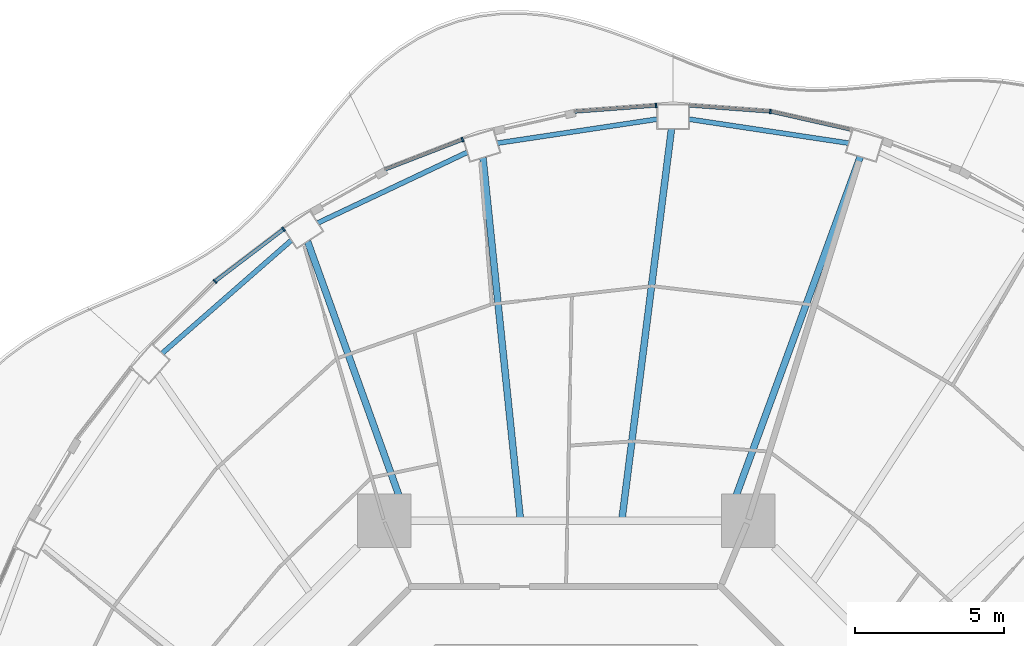
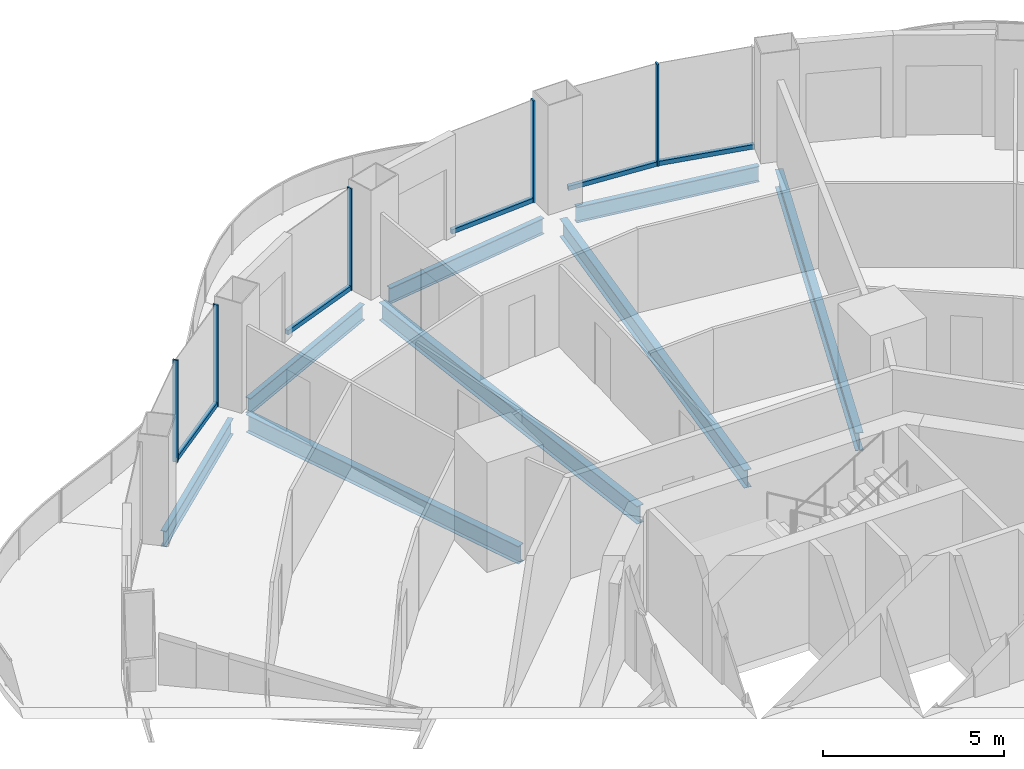
# One storey, part 7 of 19: 10 members, 8 beams, 6 elements without a shape of their own.
"""IFC4 building model written with IfcOpenShell, lengths in metres."""

from ifc_helpers import new_model, si_unit, direction, frame, origin, origin_2d, place, context, subcontext, project, spatial, rectangle, i_section, extrude, material, layer, layer_set, material_profile, profile_set, type_object, element, aggregate, save


model = new_model("IFC4")

# Units and contexts
model_context = context("Model", 3, precision=1e-05, world=origin(), true_north=direction((0.0, 1.0)))
body_context = subcontext(model_context, "Body", "Model", "MODEL_VIEW")
ifc_project = project(units=[si_unit("LENGTHUNIT", "METRE"), si_unit("AREAUNIT", "SQUARE_METRE"), si_unit("VOLUMEUNIT", "CUBIC_METRE"), si_unit("PLANEANGLEUNIT", "RADIAN"), si_unit("MASSUNIT", "GRAM", prefix="KILO")], contexts=[model_context])

# Site, building, storey
site_placement = place(None, origin())
site = spatial("IfcSite", under=ifc_project, at=site_placement, CompositionType="ELEMENT")
building_placement = place(site_placement, origin())
building = spatial("IfcBuilding", under=site, at=building_placement, Name="Nagisa Residences", CompositionType="ELEMENT")
storey_placement = place(building_placement, frame((0.0, 0.0, 173.300048828125)))
storey = spatial("IfcBuildingStorey", under=building, at=storey_placement, Name="L43", CompositionType="ELEMENT", Elevation=173.300048828125)

# Curtain wall, member
ifc_material_1 = material(Name="Concrete-coloured aluminium curtain wall system", Category="concrete")
ifc_layer = layer(ifc_material_1, 0.159912109375)
ifc_layer_set = layer_set([ifc_layer], Name="CW1 CURTAIN WALL")
curtain_wall_type = type_object("IfcCurtainWallType", Name="CW1 CURTAIN WALL", PredefinedType="NOTDEFINED", material=ifc_layer_set)
curtain_wall_1_placement = place(storey_placement, origin())
curtain_wall_1 = element("IfcCurtainWall", 1, at=curtain_wall_1_placement, inside=storey, type_object=curtain_wall_type, Name="cw:CW1:L43:11", PredefinedType="NOTDEFINED")
ifc_material_2 = material(Name="Concrete-coloured aluminium", Category="concrete")
ifc_material_profile_1 = material_profile(ifc_material_2, rectangle(XDim=0.159912109375, YDim=0.06005859375, at=origin_2d()), Name="CW1 MULLION 160x60")
ifc_profile_set_1 = profile_set([ifc_material_profile_1], Name="Concrete-coloured aluminium")
member_type_1 = type_object("IfcMemberType", Name="CW1 MULLION 160x60", PredefinedType="MULLION", material=ifc_profile_set_1)
member_1_placement = place(storey_placement, frame((6.876220703125, 28.550537109375, 0.0), z_axis=(0.0, 0.0, 1.0), x_axis=(-0.074377355493, -0.997230168512, 0.0)))
member_1 = element("IfcMember", 2, at=member_1_placement, type_object=member_type_1, Name="CW1 mullion", PredefinedType="MULLION", context=body_context, shape_type="SweptSolid", body=[
    extrude(rectangle(XDim=0.159912109375, YDim=0.06005859375, at=origin_2d()), origin(), (0.0, 0.0, 1.0), 3.43994140625),
])

curtain_wall_2_placement = place(storey_placement, origin())
curtain_wall_2 = element("IfcCurtainWall", 3, at=curtain_wall_2_placement, inside=storey, type_object=curtain_wall_type, Name="cw:CW1:L43:12", PredefinedType="NOTDEFINED")
member_2_placement = place(storey_placement, frame((3.027587890625, 28.752197265625, 0.0), z_axis=(0.0, 0.0, 1.0), x_axis=(0.074377355493, -0.997230168512, 0.0)))
member_2 = element("IfcMember", 4, at=member_2_placement, type_object=member_type_1, Name="CW1 mullion", PredefinedType="MULLION", context=body_context, shape_type="SweptSolid", body=[
    extrude(rectangle(XDim=0.159912109375, YDim=0.06005859375, at=origin_2d()), origin(), (0.0, 0.0, 1.0), 3.43994140625),
])

curtain_wall_3_placement = place(storey_placement, origin())
curtain_wall_3 = element("IfcCurtainWall", 5, at=curtain_wall_3_placement, inside=storey, type_object=curtain_wall_type, Name="cw:CW1:L43:14", PredefinedType="NOTDEFINED")
member_3_placement = place(storey_placement, frame((-3.479736328125, 27.607421875, 0.0), z_axis=(0.0, 0.0, 1.0), x_axis=(0.360327770268, -0.932825759707, 0.0)))
member_3 = element("IfcMember", 6, at=member_3_placement, type_object=member_type_1, Name="CW1 mullion", PredefinedType="MULLION", context=body_context, shape_type="SweptSolid", body=[
    extrude(rectangle(XDim=0.159912109375, YDim=0.06005859375, at=origin_2d()), origin(), (0.0, 0.0, 1.0), 3.43994140625),
])

curtain_wall_4_placement = place(storey_placement, origin())
curtain_wall_4 = element("IfcCurtainWall", 7, at=curtain_wall_4_placement, inside=storey, type_object=curtain_wall_type, Name="cw:CW1:L43:16", PredefinedType="NOTDEFINED")
member_4_placement = place(storey_placement, frame((-9.500732421875, 24.591796875, 0.0), z_axis=(0.0, 0.0, 1.0), x_axis=(0.605255421737, -0.79603132756, 0.0)))
member_4 = element("IfcMember", 8, at=member_4_placement, type_object=member_type_1, Name="CW1 mullion", PredefinedType="MULLION", context=body_context, shape_type="SweptSolid", body=[
    extrude(rectangle(XDim=0.159912109375, YDim=0.06005859375, at=origin_2d()), origin(), (0.0, 0.0, 1.0), 3.43994140625),
])

curtain_wall_5_placement = place(storey_placement, origin())
curtain_wall_5 = element("IfcCurtainWall", 9, at=curtain_wall_5_placement, inside=storey, type_object=curtain_wall_type, Name="cw:CW1:L43:17", PredefinedType="NOTDEFINED")
member_5_placement = place(storey_placement, frame((-11.81201171875, 22.830322265625, 0.0), z_axis=(0.0, 0.0, 1.0), x_axis=(0.706376885714, -0.707835924016, 0.0)))
member_5 = element("IfcMember", 10, at=member_5_placement, type_object=member_type_1, Name="CW1 mullion", PredefinedType="MULLION", context=body_context, shape_type="SweptSolid", body=[
    extrude(rectangle(XDim=0.159912109375, YDim=0.06005859375, at=origin_2d()), origin(), (0.0, 0.0, 1.0), 3.43994140625),
])
aggregate(curtain_wall_5, [member_5])

curtain_wall_6_placement = place(storey_placement, origin())
curtain_wall_6 = element("IfcCurtainWall", 11, at=curtain_wall_6_placement, inside=storey, type_object=curtain_wall_type, Name="cw:CW1:L43:10", PredefinedType="NOTDEFINED")
ifc_material_3 = material(Name="Concrete-coloured aluminium", Category="concrete")
ifc_material_profile_2 = material_profile(ifc_material_3, rectangle(XDim=0.1201171875, YDim=0.14990234375, at=origin_2d()), Name="CW1 TRANSOM 120x150")
ifc_profile_set_2 = profile_set([ifc_material_profile_2], Name="Concrete-coloured aluminium")
member_type_2 = type_object("IfcMemberType", Name="CW1 TRANSOM 120x150", PredefinedType="USERDEFINED", material=ifc_profile_set_2)
member_6_placement = place(storey_placement, frame((9.613525390625, 27.9345703125, 0.074951171875), z_axis=(-0.975324329911, 0.220776926974, 0.0), x_axis=(-0.220776926974, -0.975324329911, 0.0)))
member_6 = element("IfcMember", 12, at=member_6_placement, type_object=member_type_2, Name="CW1 transom", ObjectType="TRANSOM", PredefinedType="USERDEFINED", context=body_context, shape_type="SweptSolid", body=[
    extrude(rectangle(XDim=0.1201171875, YDim=0.14990234375, at=origin_2d()), origin(), (0.0, 0.0, 1.0), 2.787841796875),
])
aggregate(curtain_wall_6, [member_6])

# Member
member_7_placement = place(storey_placement, frame((6.90625, 28.548095703125, 0.074951171875), z_axis=(-0.997225528735, 0.074439538143, 0.0), x_axis=(-0.074439538143, -0.997225528735, 0.0)))
member_7 = element("IfcMember", 13, at=member_7_placement, type_object=member_type_2, Name="CW1 transom", ObjectType="TRANSOM", PredefinedType="USERDEFINED", context=body_context, shape_type="SweptSolid", body=[
    extrude(rectangle(XDim=0.1201171875, YDim=0.14990234375, at=origin_2d()), origin(), (0.0, 0.0, 1.0), 2.771240234375),
])

aggregate(curtain_wall_1, [member_1, member_7])

member_8_placement = place(storey_placement, frame((3.057373046875, 28.75439453125, 0.074951171875), z_axis=(-0.99722504052, -0.074446078208, 0.0), x_axis=(0.074446078208, -0.99722504052, 0.0)))
member_8 = element("IfcMember", 14, at=member_8_placement, type_object=member_type_2, Name="CW1 transom", ObjectType="TRANSOM", PredefinedType="USERDEFINED", context=body_context, shape_type="SweptSolid", body=[
    extrude(rectangle(XDim=0.1201171875, YDim=0.14990234375, at=origin_2d()), origin(), (0.0, 0.0, 1.0), 2.77099609375),
])

aggregate(curtain_wall_2, [member_2, member_8])

member_9_placement = place(storey_placement, frame((-3.45166015625, 27.618408203125, 0.074951171875), z_axis=(-0.932806734513, -0.360377019311, 0.0), x_axis=(0.360377019311, -0.932806734513, 0.0)))
member_9 = element("IfcMember", 15, at=member_9_placement, type_object=member_type_2, Name="CW1 transom", ObjectType="TRANSOM", PredefinedType="USERDEFINED", context=body_context, shape_type="SweptSolid", body=[
    extrude(rectangle(XDim=0.1201171875, YDim=0.14990234375, at=origin_2d()), origin(), (0.0, 0.0, 1.0), 2.819580078125),
])

aggregate(curtain_wall_3, [member_3, member_9])

member_10_placement = place(storey_placement, frame((-9.476806640625, 24.60986328125, 0.074951171875), z_axis=(-0.796055733703, -0.60522332146, 0.0), x_axis=(0.60522332146, -0.796055733703, 0.0)))
member_10 = element("IfcMember", 16, at=member_10_placement, type_object=member_type_2, Name="CW1 transom", ObjectType="TRANSOM", PredefinedType="USERDEFINED", context=body_context, shape_type="SweptSolid", body=[
    extrude(rectangle(XDim=0.1201171875, YDim=0.14990234375, at=origin_2d()), origin(), (0.0, 0.0, 1.0), 2.9169921875),
])

aggregate(curtain_wall_4, [member_4, member_10])

# Beams
ifc_material_4 = material(Name="Steel ASTM A572 Gr 50", Category="steel")
ifc_material_profile_3 = material_profile(ifc_material_4, i_section(OverallWidth=0.166015625, OverallDepth=0.534912109375, WebThickness=0.01025390625, FlangeThickness=0.0166015625, at=origin_2d()), Name="W530x85")
ifc_profile_set_3 = profile_set([ifc_material_profile_3], Name="Steel ASTM A572 Gr 50")
beam_type_1 = type_object("IfcBeamType", Name="Perimeter ring beam W530x85", PredefinedType="BEAM", material=ifc_profile_set_3)
for number, where, z_axis, x_axis, name in (
    (17, (9.508056640625, 27.48779296875, -0.527587890625), (-0.988911312658, 0.148507291732, 0.0), (-0.148507291732, -0.988911312658, 0.0), "beam:L43:pb06"),
    (18, (3.06982421875, 28.29541015625, -0.527587890625), (-0.988911312658, -0.148507291732, 0.0), (0.148507291732, -0.988911312658, 0.0), "beam:L43:pb07"),
):
    element("IfcBeam", number, at=place(storey_placement, frame(where, z_axis=z_axis, x_axis=x_axis)), inside=storey, type_object=beam_type_1, Name=name, PredefinedType="BEAM", context=body_context, shape_type="SweptSolid", body=[
        extrude(i_section(OverallWidth=0.166015625, OverallDepth=0.534912109375, WebThickness=0.01025390625, FlangeThickness=0.0166015625, at=origin_2d()), origin(), (0.0, 0.0, 1.0), 5.438232421875),
    ])
beam_1_placement = place(storey_placement, frame((-3.32275390625, 27.17919921875, -0.527587890625), z_axis=(-0.904157325884, -0.427199637232, 0.0), x_axis=(0.427199637232, -0.904157325884, 0.0)))
element("IfcBeam", 19, at=beam_1_placement, inside=storey, type_object=beam_type_1, Name="beam:L43:pb08", PredefinedType="BEAM", context=body_context, shape_type="SweptSolid", body=[
    extrude(i_section(OverallWidth=0.166015625, OverallDepth=0.534912109375, WebThickness=0.01025390625, FlangeThickness=0.0166015625, at=origin_2d()), origin(), (0.0, 0.0, 1.0), 5.56396484375),
])
beam_2_placement = place(storey_placement, frame((-9.240234375, 24.220947265625, -0.527587890625), z_axis=(-0.752461486776, -0.658636250838, 0.0), x_axis=(0.658636250838, -0.752461486776, 0.0)))
element("IfcBeam", 20, at=beam_2_placement, inside=storey, type_object=beam_type_1, Name="beam:L43:pb09", PredefinedType="BEAM", context=body_context, shape_type="SweptSolid", body=[
    extrude(i_section(OverallWidth=0.166015625, OverallDepth=0.534912109375, WebThickness=0.01025390625, FlangeThickness=0.0166015625, at=origin_2d()), origin(), (0.0, 0.0, 1.0), 5.776611328125),
])
ifc_material_5 = material(Name="Steel ASTM A572 Gr 50", Category="steel")
ifc_material_profile_4 = material_profile(ifc_material_5, i_section(OverallWidth=0.22802734375, OverallDepth=0.60302734375, WebThickness=0.010498046875, FlangeThickness=0.014892578125, at=origin_2d()), Name="W610x101")
ifc_profile_set_4 = profile_set([ifc_material_profile_4], Name="Steel ASTM A572 Gr 50")
beam_type_2 = type_object("IfcBeamType", Name="Radial beam W610x101", PredefinedType="BEAM", material=ifc_profile_set_4)
beam_3_placement = place(storey_placement, frame((9.898681640625, 27.02734375, -0.5615234375), z_axis=(-0.343903309659, -0.939005065804, 0.0), x_axis=(0.939005065804, -0.343903309659, 0.0)))
element("IfcBeam", 21, at=beam_3_placement, inside=storey, type_object=beam_type_2, Name="beam:L43:rb06", PredefinedType="BEAM", context=body_context, shape_type="SweptSolid", body=[
    extrude(i_section(OverallWidth=0.22802734375, OverallDepth=0.60302734375, WebThickness=0.010498046875, FlangeThickness=0.014892578125, at=origin_2d()), origin(), (0.0, 0.0, 1.0), 12.92529296875),
])
beam_4_placement = place(storey_placement, frame((3.548583984375, 27.9697265625, -0.5615234375), z_axis=(-0.125871302495, -0.992046579153, 0.0), x_axis=(0.992046579153, -0.125871302495, 0.0)))
element("IfcBeam", 22, at=beam_4_placement, inside=storey, type_object=beam_type_2, Name="beam:L43:rb07", PredefinedType="BEAM", context=body_context, shape_type="SweptSolid", body=[
    extrude(i_section(OverallWidth=0.22802734375, OverallDepth=0.60302734375, WebThickness=0.010498046875, FlangeThickness=0.014892578125, at=origin_2d()), origin(), (0.0, 0.0, 1.0), 13.185546875),
])
beam_5_placement = place(storey_placement, frame((-2.795654296875, 26.997314453125, -0.5615234375), z_axis=(0.103007948723, -0.994680532885, 0.0), x_axis=(0.994680532885, 0.103007948723, 0.0)))
element("IfcBeam", 23, at=beam_5_placement, inside=storey, type_object=beam_type_2, Name="beam:L43:rb08", PredefinedType="BEAM", context=body_context, shape_type="SweptSolid", body=[
    extrude(i_section(OverallWidth=0.22802734375, OverallDepth=0.60302734375, WebThickness=0.010498046875, FlangeThickness=0.014892578125, at=origin_2d()), origin(), (0.0, 0.0, 1.0), 12.1728515625),
])
beam_6_placement = place(storey_placement, frame((-8.6962890625, 24.180908203125, -0.5615234375), z_axis=(0.338417364879, -0.940996114311, 0.0), x_axis=(0.940996114311, 0.338417364879, 0.0)))
element("IfcBeam", 24, at=beam_6_placement, inside=storey, type_object=beam_type_2, Name="beam:L43:rb09", PredefinedType="BEAM", context=body_context, shape_type="SweptSolid", body=[
    extrude(i_section(OverallWidth=0.22802734375, OverallDepth=0.60302734375, WebThickness=0.010498046875, FlangeThickness=0.014892578125, at=origin_2d()), origin(), (0.0, 0.0, 1.0), 9.873291015625),
])

save(model, "model.ifc")
